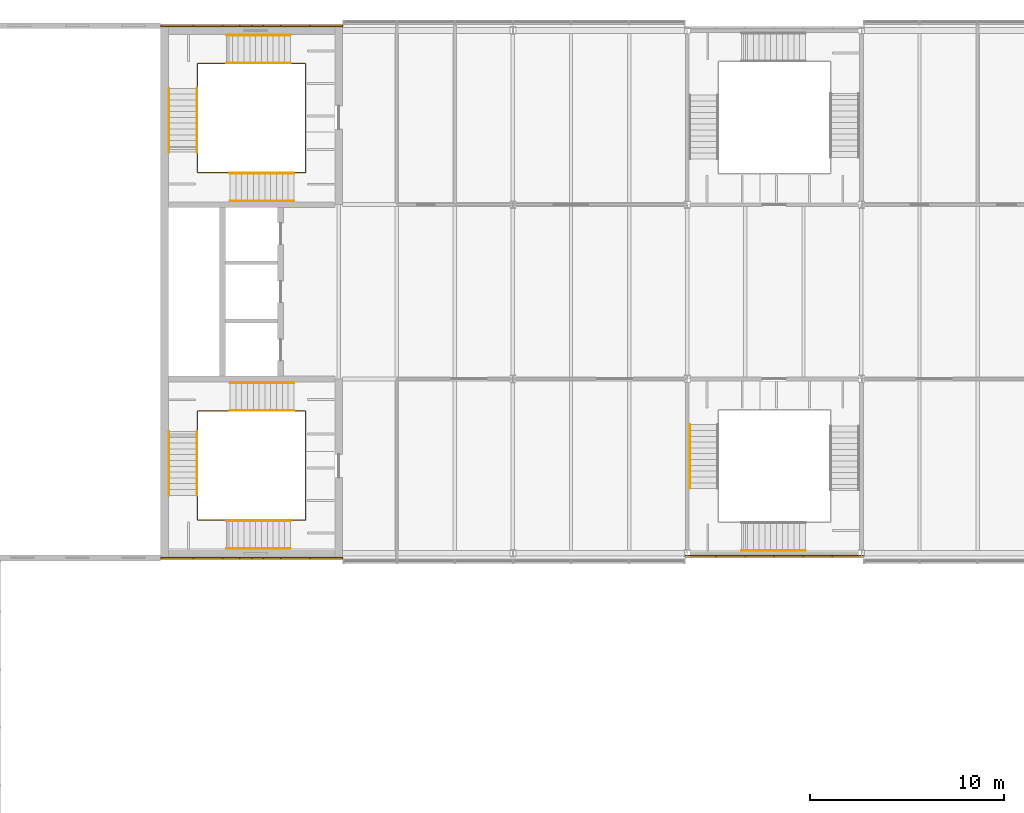
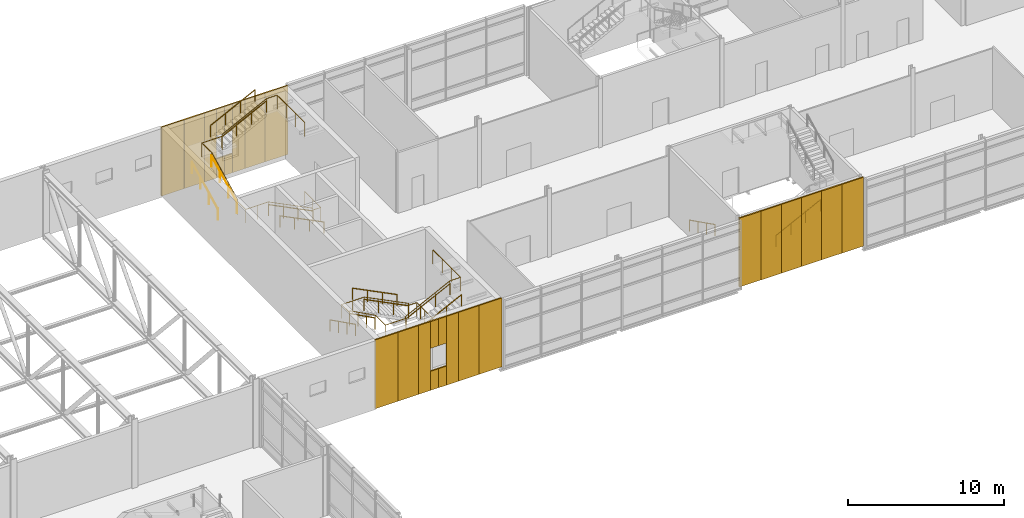
# One storey, part 51 of 53: 26 coverings, 16 railings.
"""IFC4 building model written with IfcOpenShell, lengths in metres."""

from ifc_helpers import new_model, si_unit, direction, frame, origin, origin_2d, place, context, subcontext, project, spatial, rectangle, circle, extrude, material, layer, layer_set, type_object, element, save


model = new_model("IFC4")

# Units and contexts
model_context = context("Model", 3, precision=1e-05, world=origin(), true_north=direction((0.0, 1.0)))
body_context = subcontext(model_context, "Body", "Model", "MODEL_VIEW")
ifc_project = project(units=[si_unit("LENGTHUNIT", "METRE"), si_unit("AREAUNIT", "SQUARE_METRE"), si_unit("VOLUMEUNIT", "CUBIC_METRE"), si_unit("PLANEANGLEUNIT", "RADIAN"), si_unit("MASSUNIT", "GRAM", prefix="KILO")], contexts=[model_context])

# Site, building, storey
site_placement = place(None, origin())
site = spatial("IfcSite", under=ifc_project, at=site_placement, CompositionType="ELEMENT")
building_placement = place(site_placement, origin())
building = spatial("IfcBuilding", under=site, at=building_placement, Name="Azimuth Sports and Learning Centre", CompositionType="ELEMENT")
storey_placement = place(building_placement, frame((0.0, 0.0, 10.800048828125)))
storey = spatial("IfcBuildingStorey", under=building, at=storey_placement, Name="L02", CompositionType="ELEMENT", Elevation=10.800048828125)

# Coverings
ifc_material_1 = material(Name="Cladding panel")
ifc_layer = layer(ifc_material_1, 0.10009765625)
ifc_layer_set = layer_set([ifc_layer], Name="Cladding panel")
covering_type = type_object("IfcCoveringType", Name="Cladding panel 100", PredefinedType="CLADDING", material=ifc_layer_set)
covering_1_placement = place(storey_placement, frame((108.64990234375, 89.75, 0.0), z_axis=(0.0, 0.0, 1.0), x_axis=(1.0, 0.0, 0.0)))
element("IfcCovering", 1, at=covering_1_placement, inside=storey, type_object=covering_type, Name="Cladding panel S-CORE E L02 1", PredefinedType="CLADDING", context=body_context, shape_type="SweptSolid", body=[
    extrude(rectangle(XDim=1.699951171875, YDim=0.10009765625, at=origin_2d()), origin(), (0.0, 0.0, 1.0), 5.39990234375),
])
covering_2_placement = place(storey_placement, frame((110.25, 89.75, 0.0), z_axis=(0.0, 0.0, 1.0), x_axis=(1.0, 0.0, 0.0)))
element("IfcCovering", 2, at=covering_2_placement, inside=storey, type_object=covering_type, Name="Cladding panel S-CORE E L02 2", PredefinedType="CLADDING", context=body_context, shape_type="SweptSolid", body=[
    extrude(rectangle(XDim=1.5, YDim=0.10009765625, at=origin_2d()), origin(), (0.0, 0.0, 1.0), 5.39990234375),
])
covering_3_placement = place(storey_placement, frame((111.449951171875, 89.75, 0.0), z_axis=(0.0, 0.0, 1.0), x_axis=(1.0, 0.0, 0.0)))
element("IfcCovering", 3, at=covering_3_placement, inside=storey, type_object=covering_type, Name="Cladding panel S-CORE E L02 3", PredefinedType="CLADDING", context=body_context, shape_type="SweptSolid", body=[
    extrude(rectangle(XDim=0.89990234375, YDim=0.10009765625, at=origin_2d()), origin(), (0.0, 0.0, 1.0), 5.39990234375),
])
covering_4_placement = place(storey_placement, frame((112.199951171875, 89.75, 0.0), z_axis=(0.0, 0.0, 1.0), x_axis=(1.0, 0.0, 0.0)))
element("IfcCovering", 4, at=covering_4_placement, inside=storey, type_object=covering_type, Name="Cladding panel S-CORE E L02 4", PredefinedType="CLADDING", context=body_context, shape_type="SweptSolid", body=[
    extrude(rectangle(XDim=0.60009765625, YDim=0.10009765625, at=origin_2d()), origin(), (0.0, 0.0, 1.0), 1.5),
])
covering_5_placement = place(storey_placement, frame((112.199951171875, 89.75, 3.2998046875), z_axis=(0.0, 0.0, 1.0), x_axis=(1.0, 0.0, 0.0)))
element("IfcCovering", 5, at=covering_5_placement, inside=storey, type_object=covering_type, Name="Cladding panel S-CORE E L02 5", PredefinedType="CLADDING", context=body_context, shape_type="SweptSolid", body=[
    extrude(rectangle(XDim=0.60009765625, YDim=0.10009765625, at=origin_2d()), origin(), (0.0, 0.0, 1.0), 2.10009765625),
])
covering_6_placement = place(storey_placement, frame((113.550048828125, 89.75, 0.0), z_axis=(0.0, 0.0, 1.0), x_axis=(1.0, 0.0, 0.0)))
element("IfcCovering", 6, at=covering_6_placement, inside=storey, type_object=covering_type, Name="Cladding panel S-CORE E L02 6", PredefinedType="CLADDING", context=body_context, shape_type="SweptSolid", body=[
    extrude(rectangle(XDim=0.89990234375, YDim=0.10009765625, at=origin_2d()), origin(), (0.0, 0.0, 1.0), 5.39990234375),
])
covering_7_placement = place(storey_placement, frame((112.800048828125, 89.75, 0.0), z_axis=(0.0, 0.0, 1.0), x_axis=(1.0, 0.0, 0.0)))
element("IfcCovering", 7, at=covering_7_placement, inside=storey, type_object=covering_type, Name="Cladding panel S-CORE E L02 7", PredefinedType="CLADDING", context=body_context, shape_type="SweptSolid", body=[
    extrude(rectangle(XDim=0.60009765625, YDim=0.10009765625, at=origin_2d()), origin(), (0.0, 0.0, 1.0), 1.5),
])
covering_8_placement = place(storey_placement, frame((112.800048828125, 89.75, 3.2998046875), z_axis=(0.0, 0.0, 1.0), x_axis=(1.0, 0.0, 0.0)))
element("IfcCovering", 8, at=covering_8_placement, inside=storey, type_object=covering_type, Name="Cladding panel S-CORE E L02 8", PredefinedType="CLADDING", context=body_context, shape_type="SweptSolid", body=[
    extrude(rectangle(XDim=0.60009765625, YDim=0.10009765625, at=origin_2d()), origin(), (0.0, 0.0, 1.0), 2.10009765625),
])
covering_9_placement = place(storey_placement, frame((114.75, 89.75, 0.0), z_axis=(0.0, 0.0, 1.0), x_axis=(1.0, 0.0, 0.0)))
element("IfcCovering", 9, at=covering_9_placement, inside=storey, type_object=covering_type, Name="Cladding panel S-CORE E L02 9", PredefinedType="CLADDING", context=body_context, shape_type="SweptSolid", body=[
    extrude(rectangle(XDim=1.5, YDim=0.10009765625, at=origin_2d()), origin(), (0.0, 0.0, 1.0), 5.39990234375),
])
covering_10_placement = place(storey_placement, frame((116.35009765625, 89.75, 0.0), z_axis=(0.0, 0.0, 1.0), x_axis=(1.0, 0.0, 0.0)))
element("IfcCovering", 10, at=covering_10_placement, inside=storey, type_object=covering_type, Name="Cladding panel S-CORE E L02 10", PredefinedType="CLADDING", context=body_context, shape_type="SweptSolid", body=[
    extrude(rectangle(XDim=1.699951171875, YDim=0.10009765625, at=origin_2d()), origin(), (0.0, 0.0, 1.0), 5.39990234375),
])
covering_11_placement = place(storey_placement, frame((135.699951171875, 89.85009765625, 0.0), z_axis=(0.0, 0.0, 1.0), x_axis=(1.0, 0.0, 0.0)))
element("IfcCovering", 11, at=covering_11_placement, inside=storey, type_object=covering_type, Name="Cladding panel S-EM1 L02 1", PredefinedType="CLADDING", context=body_context, shape_type="SweptSolid", body=[
    extrude(rectangle(XDim=1.60009765625, YDim=0.10009765625, at=origin_2d()), origin(), (0.0, 0.0, 1.0), 5.39990234375),
])
for number, where, z_axis, x_axis, name in (
    (12, (137.25, 89.85009765625, 0.0), (0.0, 0.0, 1.0), (1.0, 0.0, 0.0), "Cladding panel S-EM1 L02 2"),
    (13, (138.75, 89.85009765625, 0.0), (0.0, 0.0, 1.0), (1.0, 0.0, 0.0), "Cladding panel S-EM1 L02 3"),
    (14, (140.25, 89.85009765625, 0.0), (0.0, 0.0, 1.0), (1.0, 0.0, 0.0), "Cladding panel S-EM1 L02 4"),
    (15, (141.75, 89.85009765625, 0.0), (0.0, 0.0, 1.0), (1.0, 0.0, 0.0), "Cladding panel S-EM1 L02 5"),
):
    element("IfcCovering", number, at=place(storey_placement, frame(where, z_axis=z_axis, x_axis=x_axis)), inside=storey, type_object=covering_type, Name=name, PredefinedType="CLADDING", context=body_context, shape_type="SweptSolid", body=[
        extrude(rectangle(XDim=1.5, YDim=0.10009765625, at=origin_2d()), origin(), (0.0, 0.0, 1.0), 5.39990234375),
    ])
covering_12_placement = place(storey_placement, frame((143.300048828125, 89.85009765625, 0.0), z_axis=(0.0, 0.0, 1.0), x_axis=(1.0, 0.0, 0.0)))
element("IfcCovering", 16, at=covering_12_placement, inside=storey, type_object=covering_type, Name="Cladding panel S-EM1 L02 6", PredefinedType="CLADDING", context=body_context, shape_type="SweptSolid", body=[
    extrude(rectangle(XDim=1.60009765625, YDim=0.10009765625, at=origin_2d()), origin(), (0.0, 0.0, 1.0), 5.39990234375),
])
covering_13_placement = place(storey_placement, frame((116.35009765625, 117.25, 0.0), z_axis=(0.0, 0.0, 1.0), x_axis=(-1.0, 0.0, 0.0)))
element("IfcCovering", 17, at=covering_13_placement, inside=storey, type_object=covering_type, Name="Cladding panel N-CORE E L02 1", PredefinedType="CLADDING", context=body_context, shape_type="SweptSolid", body=[
    extrude(rectangle(XDim=1.699951171875, YDim=0.10009765625, at=origin_2d()), origin(), (0.0, 0.0, 1.0), 5.39990234375),
])
covering_14_placement = place(storey_placement, frame((114.75, 117.25, 0.0), z_axis=(0.0, 0.0, 1.0), x_axis=(-1.0, 0.0, 0.0)))
element("IfcCovering", 18, at=covering_14_placement, inside=storey, type_object=covering_type, Name="Cladding panel N-CORE E L02 2", PredefinedType="CLADDING", context=body_context, shape_type="SweptSolid", body=[
    extrude(rectangle(XDim=1.5, YDim=0.10009765625, at=origin_2d()), origin(), (0.0, 0.0, 1.0), 5.39990234375),
])
covering_15_placement = place(storey_placement, frame((113.550048828125, 117.25, 0.0), z_axis=(0.0, 0.0, 1.0), x_axis=(-1.0, 0.0, 0.0)))
element("IfcCovering", 19, at=covering_15_placement, inside=storey, type_object=covering_type, Name="Cladding panel N-CORE E L02 3", PredefinedType="CLADDING", context=body_context, shape_type="SweptSolid", body=[
    extrude(rectangle(XDim=0.89990234375, YDim=0.10009765625, at=origin_2d()), origin(), (0.0, 0.0, 1.0), 5.39990234375),
])
covering_16_placement = place(storey_placement, frame((112.800048828125, 117.25, 0.0), z_axis=(0.0, 0.0, 1.0), x_axis=(-1.0, 0.0, 0.0)))
element("IfcCovering", 20, at=covering_16_placement, inside=storey, type_object=covering_type, Name="Cladding panel N-CORE E L02 4", PredefinedType="CLADDING", context=body_context, shape_type="SweptSolid", body=[
    extrude(rectangle(XDim=0.60009765625, YDim=0.10009765625, at=origin_2d()), origin(), (0.0, 0.0, 1.0), 1.5),
])
covering_17_placement = place(storey_placement, frame((112.800048828125, 117.25, 3.2998046875), z_axis=(0.0, 0.0, 1.0), x_axis=(-1.0, 0.0, 0.0)))
element("IfcCovering", 21, at=covering_17_placement, inside=storey, type_object=covering_type, Name="Cladding panel N-CORE E L02 5", PredefinedType="CLADDING", context=body_context, shape_type="SweptSolid", body=[
    extrude(rectangle(XDim=0.60009765625, YDim=0.10009765625, at=origin_2d()), origin(), (0.0, 0.0, 1.0), 2.10009765625),
])
covering_18_placement = place(storey_placement, frame((111.449951171875, 117.25, 0.0), z_axis=(0.0, 0.0, 1.0), x_axis=(-1.0, 0.0, 0.0)))
element("IfcCovering", 22, at=covering_18_placement, inside=storey, type_object=covering_type, Name="Cladding panel N-CORE E L02 6", PredefinedType="CLADDING", context=body_context, shape_type="SweptSolid", body=[
    extrude(rectangle(XDim=0.89990234375, YDim=0.10009765625, at=origin_2d()), origin(), (0.0, 0.0, 1.0), 5.39990234375),
])
covering_19_placement = place(storey_placement, frame((112.199951171875, 117.25, 0.0), z_axis=(0.0, 0.0, 1.0), x_axis=(-1.0, 0.0, 0.0)))
element("IfcCovering", 23, at=covering_19_placement, inside=storey, type_object=covering_type, Name="Cladding panel N-CORE E L02 7", PredefinedType="CLADDING", context=body_context, shape_type="SweptSolid", body=[
    extrude(rectangle(XDim=0.60009765625, YDim=0.10009765625, at=origin_2d()), origin(), (0.0, 0.0, 1.0), 1.5),
])
covering_20_placement = place(storey_placement, frame((112.199951171875, 117.25, 3.2998046875), z_axis=(0.0, 0.0, 1.0), x_axis=(-1.0, 0.0, 0.0)))
element("IfcCovering", 24, at=covering_20_placement, inside=storey, type_object=covering_type, Name="Cladding panel N-CORE E L02 8", PredefinedType="CLADDING", context=body_context, shape_type="SweptSolid", body=[
    extrude(rectangle(XDim=0.60009765625, YDim=0.10009765625, at=origin_2d()), origin(), (0.0, 0.0, 1.0), 2.10009765625),
])
covering_21_placement = place(storey_placement, frame((110.25, 117.25, 0.0), z_axis=(0.0, 0.0, 1.0), x_axis=(-1.0, 0.0, 0.0)))
element("IfcCovering", 25, at=covering_21_placement, inside=storey, type_object=covering_type, Name="Cladding panel N-CORE E L02 9", PredefinedType="CLADDING", context=body_context, shape_type="SweptSolid", body=[
    extrude(rectangle(XDim=1.5, YDim=0.10009765625, at=origin_2d()), origin(), (0.0, 0.0, 1.0), 5.39990234375),
])
covering_22_placement = place(storey_placement, frame((108.64990234375, 117.25, 0.0), z_axis=(0.0, 0.0, 1.0), x_axis=(-1.0, 0.0, 0.0)))
element("IfcCovering", 26, at=covering_22_placement, inside=storey, type_object=covering_type, Name="Cladding panel N-CORE E L02 10", PredefinedType="CLADDING", context=body_context, shape_type="SweptSolid", body=[
    extrude(rectangle(XDim=1.699951171875, YDim=0.10009765625, at=origin_2d()), origin(), (0.0, 0.0, 1.0), 5.39990234375),
])

# Railings
ifc_material_2 = material(Name="Stainless steel", Category="steel")
railing_type_1 = type_object("IfcRailingType", Name="Stair guard 1100", PredefinedType="GUARDRAIL", material=ifc_material_2)
railing_1_placement = place(storey_placement, frame((115.2900390625, 95.25, 0.0)))
element("IfcRailing", 27, at=railing_1_placement, inside=storey, type_object=railing_type_1, Name="Guard E1 L02 well", PredefinedType="GUARDRAIL", context=body_context, shape_type="SweptSolid", body=[
    extrude(circle(Radius=0.02392578125, at=origin_2d()), frame((0.0, 0.0, 1.076171875), z_axis=(0.0, 1.0, 0.0), x_axis=(-1.0, 0.0, 0.0)), (0.0, 0.0, 1.0), 2.090087890625),
    extrude(circle(Radius=0.02392578125, at=origin_2d()), frame((0.0, 2.090087890625, 1.076171875), z_axis=(-1.0, 0.0, 0.0), x_axis=(0.0, -1.0, 0.0)), (0.0, 0.0, 1.0), 0.60009765625),
    extrude(circle(Radius=0.02392578125, at=origin_2d()), frame((-0.60009765625, 2.090087890625, 1.076171875), z_axis=(0.0, 0.0, 1.0), x_axis=(1.0, 0.0, 0.0)), (0.0, 0.0, 1.0), 0.14990234375),
    extrude(circle(Radius=0.02392578125, at=origin_2d()), frame((-0.60009765625, 2.090087890625, 1.22607421875), z_axis=(-0.894413956696, 0.0, 0.447240063129), x_axis=(0.0, -1.0, 0.0)), (0.0, 0.0, 1.0), 3.689697265625),
    extrude(circle(Radius=0.02392578125, at=origin_2d()), frame((-3.900146484375, 2.090087890625, 2.8759765625), z_axis=(-1.0, 0.0, 0.0), x_axis=(0.0, -1.0, 0.0)), (0.0, 0.0, 1.0), 1.679931640625),
    extrude(circle(Radius=0.02392578125, at=origin_2d()), frame((-5.580078125, 2.090087890625, 2.8759765625), z_axis=(0.0, -1.0, 0.0), x_axis=(1.0, 0.0, 0.0)), (0.0, 0.0, 1.0), 1.050048828125),
    extrude(circle(Radius=0.02392578125, at=origin_2d()), frame((-5.580078125, 1.0400390625, 2.8759765625), z_axis=(0.0, 0.0, 1.0), x_axis=(1.0, 0.0, 0.0)), (0.0, 0.0, 1.0), 0.14990234375),
    extrude(circle(Radius=0.02392578125, at=origin_2d()), frame((-5.580078125, 1.0400390625, 3.02587890625), z_axis=(0.0, -0.894440424912, 0.447187126696), x_axis=(1.0, 0.0, 0.0)), (0.0, 0.0, 1.0), 3.689453125),
    extrude(circle(Radius=0.02392578125, at=origin_2d()), frame((-5.580078125, -2.260009765625, 4.67578125), z_axis=(0.0, -1.0, 0.0), x_axis=(1.0, 0.0, 0.0)), (0.0, 0.0, 1.0), 1.280029296875),
    extrude(circle(Radius=0.02392578125, at=origin_2d()), frame((-5.580078125, -3.5400390625, 4.67578125), z_axis=(1.0, 0.0, 0.0), x_axis=(0.0, 1.0, 0.0)), (0.0, 0.0, 1.0), 1.5),
    extrude(circle(Radius=0.02392578125, at=origin_2d()), frame((-4.080078125, -3.5400390625, 4.67578125), z_axis=(0.0, 0.0, 1.0), x_axis=(1.0, 0.0, 0.0)), (0.0, 0.0, 1.0), 0.150146484375),
    extrude(circle(Radius=0.02392578125, at=origin_2d()), frame((-4.080078125, -3.5400390625, 4.826171875), z_axis=(0.894440424912, 0.0, 0.447187126696), x_axis=(0.0, 1.0, 0.0)), (0.0, 0.0, 1.0), 3.689453125),
    extrude(circle(Radius=0.02392578125, at=origin_2d()), frame((-0.780029296875, -3.5400390625, 6.47607421875), z_axis=(1.0, 0.0, 0.0), x_axis=(0.0, 1.0, 0.0)), (0.0, 0.0, 1.0), 0.780029296875),
    extrude(circle(Radius=0.02392578125, at=origin_2d()), frame((0.0, -3.5400390625, 6.47607421875), z_axis=(0.0, 1.0, 0.0), x_axis=(-1.0, 0.0, 0.0)), (0.0, 0.0, 1.0), 3.5400390625),
    extrude(circle(Radius=0.01611328125, at=origin_2d()), origin(), (0.0, 0.0, 1.0), 1.052001953125),
    extrude(circle(Radius=0.01611328125, at=origin_2d()), frame((0.0, 1.044921875, 0.0)), (0.0, 0.0, 1.0), 1.052001953125),
    extrude(circle(Radius=0.01611328125, at=origin_2d()), frame((0.0, 2.090087890625, 0.0)), (0.0, 0.0, 1.0), 1.052001953125),
    extrude(circle(Radius=0.01611328125, at=origin_2d()), frame((-0.60009765625, 2.090087890625, 0.0)), (0.0, 0.0, 1.0), 1.052001953125),
    extrude(circle(Radius=0.01611328125, at=origin_2d()), frame((-0.60009765625, 2.090087890625, 0.14990234375)), (0.0, 0.0, 1.0), 1.052001953125),
    extrude(circle(Radius=0.01611328125, at=origin_2d()), frame((-1.7001953125, 2.090087890625, 0.699951171875)), (0.0, 0.0, 1.0), 1.052001953125),
    extrude(circle(Radius=0.01611328125, at=origin_2d()), frame((-2.800048828125, 2.090087890625, 1.25)), (0.0, 0.0, 1.0), 1.052001953125),
    extrude(circle(Radius=0.01611328125, at=origin_2d()), frame((-3.900146484375, 2.090087890625, 1.800048828125)), (0.0, 0.0, 1.0), 1.052001953125),
    extrude(circle(Radius=0.01611328125, at=origin_2d()), frame((-4.740234375, 2.090087890625, 1.800048828125)), (0.0, 0.0, 1.0), 1.052001953125),
    extrude(circle(Radius=0.01611328125, at=origin_2d()), frame((-5.580078125, 2.090087890625, 1.800048828125)), (0.0, 0.0, 1.0), 1.052001953125),
    extrude(circle(Radius=0.01611328125, at=origin_2d()), frame((-5.580078125, 1.0400390625, 1.800048828125)), (0.0, 0.0, 1.0), 1.052001953125),
    extrude(circle(Radius=0.01611328125, at=origin_2d()), frame((-5.580078125, 1.0400390625, 1.949951171875)), (0.0, 0.0, 1.0), 1.052001953125),
    extrude(circle(Radius=0.01611328125, at=origin_2d()), frame((-5.580078125, -0.06005859375, 2.5)), (0.0, 0.0, 1.0), 1.052001953125),
    extrude(circle(Radius=0.01611328125, at=origin_2d()), frame((-5.580078125, -1.159912109375, 3.0498046875)), (0.0, 0.0, 1.0), 1.052001953125),
    extrude(circle(Radius=0.01611328125, at=origin_2d()), frame((-5.580078125, -2.260009765625, 3.599853515625)), (0.0, 0.0, 1.0), 1.052001953125),
    extrude(circle(Radius=0.01611328125, at=origin_2d()), frame((-5.580078125, -3.5400390625, 3.599853515625)), (0.0, 0.0, 1.0), 1.052001953125),
    extrude(circle(Radius=0.01611328125, at=origin_2d()), frame((-4.080078125, -3.5400390625, 3.599853515625)), (0.0, 0.0, 1.0), 1.052001953125),
    extrude(circle(Radius=0.01611328125, at=origin_2d()), frame((-4.080078125, -3.5400390625, 3.75)), (0.0, 0.0, 1.0), 1.052001953125),
    extrude(circle(Radius=0.01611328125, at=origin_2d()), frame((-2.97998046875, -3.5400390625, 4.300048828125)), (0.0, 0.0, 1.0), 1.052001953125),
    extrude(circle(Radius=0.01611328125, at=origin_2d()), frame((-1.880126953125, -3.5400390625, 4.849853515625)), (0.0, 0.0, 1.0), 1.052001953125),
    extrude(circle(Radius=0.01611328125, at=origin_2d()), frame((-0.780029296875, -3.5400390625, 5.39990234375)), (0.0, 0.0, 1.0), 1.052001953125),
    extrude(circle(Radius=0.01611328125, at=origin_2d()), frame((0.0, -3.5400390625, 5.39990234375)), (0.0, 0.0, 1.0), 1.052001953125),
    extrude(circle(Radius=0.01611328125, at=origin_2d()), frame((0.0, -2.360107421875, 5.39990234375)), (0.0, 0.0, 1.0), 1.052001953125),
    extrude(circle(Radius=0.01611328125, at=origin_2d()), frame((0.0, -1.179931640625, 5.39990234375)), (0.0, 0.0, 1.0), 1.052001953125),
    extrude(circle(Radius=0.01611328125, at=origin_2d()), frame((0.0, 0.0, 5.39990234375)), (0.0, 0.0, 1.0), 1.052001953125),
])
railing_2_placement = place(storey_placement, frame((115.2900390625, 111.75, 0.0)))
element("IfcRailing", 28, at=railing_2_placement, inside=storey, type_object=railing_type_1, Name="Guard E2 L02 well", PredefinedType="GUARDRAIL", context=body_context, shape_type="SweptSolid", body=[
    extrude(circle(Radius=0.02392578125, at=origin_2d()), frame((0.0, 0.0, 1.076171875), z_axis=(0.0, -1.0, 0.0), x_axis=(1.0, 0.0, 0.0)), (0.0, 0.0, 1.0), 2.090087890625),
    extrude(circle(Radius=0.02392578125, at=origin_2d()), frame((0.0, -2.090087890625, 1.076171875), z_axis=(-1.0, 0.0, 0.0), x_axis=(0.0, -1.0, 0.0)), (0.0, 0.0, 1.0), 0.60009765625),
    extrude(circle(Radius=0.02392578125, at=origin_2d()), frame((-0.60009765625, -2.090087890625, 1.076171875), z_axis=(0.0, 0.0, 1.0), x_axis=(1.0, 0.0, 0.0)), (0.0, 0.0, 1.0), 0.14990234375),
    extrude(circle(Radius=0.02392578125, at=origin_2d()), frame((-0.60009765625, -2.090087890625, 1.22607421875), z_axis=(-0.894413956696, 0.0, 0.447240063129), x_axis=(0.0, -1.0, 0.0)), (0.0, 0.0, 1.0), 3.689697265625),
    extrude(circle(Radius=0.02392578125, at=origin_2d()), frame((-3.900146484375, -2.090087890625, 2.8759765625), z_axis=(-1.0, 0.0, 0.0), x_axis=(0.0, -1.0, 0.0)), (0.0, 0.0, 1.0), 1.679931640625),
    extrude(circle(Radius=0.02392578125, at=origin_2d()), frame((-5.580078125, -2.090087890625, 2.8759765625), z_axis=(0.0, 1.0, 0.0), x_axis=(-1.0, 0.0, 0.0)), (0.0, 0.0, 1.0), 1.050048828125),
    extrude(circle(Radius=0.02392578125, at=origin_2d()), frame((-5.580078125, -1.0400390625, 2.8759765625), z_axis=(0.0, 0.0, 1.0), x_axis=(1.0, 0.0, 0.0)), (0.0, 0.0, 1.0), 0.14990234375),
    extrude(circle(Radius=0.02392578125, at=origin_2d()), frame((-5.580078125, -1.0400390625, 3.02587890625), z_axis=(0.0, 0.894440424912, 0.447187126696), x_axis=(-1.0, 0.0, 0.0)), (0.0, 0.0, 1.0), 3.689453125),
    extrude(circle(Radius=0.02392578125, at=origin_2d()), frame((-5.580078125, 2.260009765625, 4.67578125), z_axis=(0.0, 1.0, 0.0), x_axis=(-1.0, 0.0, 0.0)), (0.0, 0.0, 1.0), 1.280029296875),
    extrude(circle(Radius=0.02392578125, at=origin_2d()), frame((-5.580078125, 3.5400390625, 4.67578125), z_axis=(1.0, 0.0, 0.0), x_axis=(0.0, 1.0, 0.0)), (0.0, 0.0, 1.0), 1.5),
    extrude(circle(Radius=0.02392578125, at=origin_2d()), frame((-4.080078125, 3.5400390625, 4.67578125), z_axis=(0.0, 0.0, 1.0), x_axis=(1.0, 0.0, 0.0)), (0.0, 0.0, 1.0), 0.150146484375),
    extrude(circle(Radius=0.02392578125, at=origin_2d()), frame((-4.080078125, 3.5400390625, 4.826171875), z_axis=(0.894440424912, 0.0, 0.447187126696), x_axis=(0.0, 1.0, 0.0)), (0.0, 0.0, 1.0), 3.689453125),
    extrude(circle(Radius=0.02392578125, at=origin_2d()), frame((-0.780029296875, 3.5400390625, 6.47607421875), z_axis=(1.0, 0.0, 0.0), x_axis=(0.0, 1.0, 0.0)), (0.0, 0.0, 1.0), 0.780029296875),
    extrude(circle(Radius=0.02392578125, at=origin_2d()), frame((0.0, 3.5400390625, 6.47607421875), z_axis=(0.0, -1.0, 0.0), x_axis=(1.0, 0.0, 0.0)), (0.0, 0.0, 1.0), 3.5400390625),
    extrude(circle(Radius=0.01611328125, at=origin_2d()), origin(), (0.0, 0.0, 1.0), 1.052001953125),
    extrude(circle(Radius=0.01611328125, at=origin_2d()), frame((0.0, -1.044921875, 0.0)), (0.0, 0.0, 1.0), 1.052001953125),
    extrude(circle(Radius=0.01611328125, at=origin_2d()), frame((0.0, -2.090087890625, 0.0)), (0.0, 0.0, 1.0), 1.052001953125),
    extrude(circle(Radius=0.01611328125, at=origin_2d()), frame((-0.60009765625, -2.090087890625, 0.0)), (0.0, 0.0, 1.0), 1.052001953125),
    extrude(circle(Radius=0.01611328125, at=origin_2d()), frame((-0.60009765625, -2.090087890625, 0.14990234375)), (0.0, 0.0, 1.0), 1.052001953125),
    extrude(circle(Radius=0.01611328125, at=origin_2d()), frame((-1.7001953125, -2.090087890625, 0.699951171875)), (0.0, 0.0, 1.0), 1.052001953125),
    extrude(circle(Radius=0.01611328125, at=origin_2d()), frame((-2.800048828125, -2.090087890625, 1.25)), (0.0, 0.0, 1.0), 1.052001953125),
    extrude(circle(Radius=0.01611328125, at=origin_2d()), frame((-3.900146484375, -2.090087890625, 1.800048828125)), (0.0, 0.0, 1.0), 1.052001953125),
    extrude(circle(Radius=0.01611328125, at=origin_2d()), frame((-4.740234375, -2.090087890625, 1.800048828125)), (0.0, 0.0, 1.0), 1.052001953125),
    extrude(circle(Radius=0.01611328125, at=origin_2d()), frame((-5.580078125, -2.090087890625, 1.800048828125)), (0.0, 0.0, 1.0), 1.052001953125),
    extrude(circle(Radius=0.01611328125, at=origin_2d()), frame((-5.580078125, -1.0400390625, 1.800048828125)), (0.0, 0.0, 1.0), 1.052001953125),
    extrude(circle(Radius=0.01611328125, at=origin_2d()), frame((-5.580078125, -1.0400390625, 1.949951171875)), (0.0, 0.0, 1.0), 1.052001953125),
    extrude(circle(Radius=0.01611328125, at=origin_2d()), frame((-5.580078125, 0.06005859375, 2.5)), (0.0, 0.0, 1.0), 1.052001953125),
    extrude(circle(Radius=0.01611328125, at=origin_2d()), frame((-5.580078125, 1.159912109375, 3.0498046875)), (0.0, 0.0, 1.0), 1.052001953125),
    extrude(circle(Radius=0.01611328125, at=origin_2d()), frame((-5.580078125, 2.260009765625, 3.599853515625)), (0.0, 0.0, 1.0), 1.052001953125),
    extrude(circle(Radius=0.01611328125, at=origin_2d()), frame((-5.580078125, 3.5400390625, 3.599853515625)), (0.0, 0.0, 1.0), 1.052001953125),
    extrude(circle(Radius=0.01611328125, at=origin_2d()), frame((-4.080078125, 3.5400390625, 3.599853515625)), (0.0, 0.0, 1.0), 1.052001953125),
    extrude(circle(Radius=0.01611328125, at=origin_2d()), frame((-4.080078125, 3.5400390625, 3.75)), (0.0, 0.0, 1.0), 1.052001953125),
    extrude(circle(Radius=0.01611328125, at=origin_2d()), frame((-2.97998046875, 3.5400390625, 4.300048828125)), (0.0, 0.0, 1.0), 1.052001953125),
    extrude(circle(Radius=0.01611328125, at=origin_2d()), frame((-1.880126953125, 3.5400390625, 4.849853515625)), (0.0, 0.0, 1.0), 1.052001953125),
    extrude(circle(Radius=0.01611328125, at=origin_2d()), frame((-0.780029296875, 3.5400390625, 5.39990234375)), (0.0, 0.0, 1.0), 1.052001953125),
    extrude(circle(Radius=0.01611328125, at=origin_2d()), frame((0.0, 3.5400390625, 5.39990234375)), (0.0, 0.0, 1.0), 1.052001953125),
    extrude(circle(Radius=0.01611328125, at=origin_2d()), frame((0.0, 2.360107421875, 5.39990234375)), (0.0, 0.0, 1.0), 1.052001953125),
    extrude(circle(Radius=0.01611328125, at=origin_2d()), frame((0.0, 1.179931640625, 5.39990234375)), (0.0, 0.0, 1.0), 1.052001953125),
    extrude(circle(Radius=0.01611328125, at=origin_2d()), frame((0.0, 0.0, 5.39990234375)), (0.0, 0.0, 1.0), 1.052001953125),
])
ifc_material_3 = material(Name="Stainless steel", Category="steel")
railing_type_2 = type_object("IfcRailingType", Name="Stair handrail 42", PredefinedType="HANDRAIL", material=ifc_material_3)
for number, where, name in (
    (29, (114.68994140625, 97.3701171875, 0.14990234375), "Handrail E1 L02 flight 1 inner"),
    (30, (114.68994140625, 98.81005859375, 0.14990234375), "Handrail E1 L02 flight 1 outer"),
):
    element("IfcRailing", number, at=place(storey_placement, frame(where)), inside=storey, type_object=railing_type_2, Name=name, PredefinedType="HANDRAIL", context=body_context, shape_type="SweptSolid", body=[
        extrude(circle(Radius=0.02099609375, at=origin_2d()), frame((0.0, 0.0, 0.87890625), z_axis=(-0.894413956696, 0.0, 0.447240063129), x_axis=(0.0, -1.0, 0.0)), (0.0, 0.0, 1.0), 3.689697265625),
        extrude(circle(Radius=0.01611328125, at=origin_2d()), origin(), (0.0, 0.0, 1.0), 0.85791015625),
        extrude(circle(Radius=0.01611328125, at=origin_2d()), frame((-1.10009765625, 0.0, 0.550048828125)), (0.0, 0.0, 1.0), 0.85791015625),
        extrude(circle(Radius=0.01611328125, at=origin_2d()), frame((-2.199951171875, 0.0, 1.10009765625)), (0.0, 0.0, 1.0), 0.85791015625),
        extrude(circle(Radius=0.01611328125, at=origin_2d()), frame((-3.300048828125, 0.0, 1.650146484375)), (0.0, 0.0, 1.0), 0.85791015625),
    ])
for number, where, name in (
    (31, (109.679931640625, 96.2900390625, 1.949951171875), "Handrail E1 L02 flight 2 inner"),
    (32, (108.239990234375, 96.2900390625, 1.949951171875), "Handrail E1 L02 flight 2 outer"),
):
    element("IfcRailing", number, at=place(storey_placement, frame(where)), inside=storey, type_object=railing_type_2, Name=name, PredefinedType="HANDRAIL", context=body_context, shape_type="SweptSolid", body=[
        extrude(circle(Radius=0.02099609375, at=origin_2d()), frame((0.0, 0.0, 0.87890625), z_axis=(0.0, -0.894440424912, 0.447187126696), x_axis=(1.0, 0.0, 0.0)), (0.0, 0.0, 1.0), 3.689453125),
        extrude(circle(Radius=0.01611328125, at=origin_2d()), origin(), (0.0, 0.0, 1.0), 0.85791015625),
        extrude(circle(Radius=0.01611328125, at=origin_2d()), frame((0.0, -1.10009765625, 0.550048828125)), (0.0, 0.0, 1.0), 0.85791015625),
        extrude(circle(Radius=0.01611328125, at=origin_2d()), frame((0.0, -2.199951171875, 1.099853515625)), (0.0, 0.0, 1.0), 0.85791015625),
        extrude(circle(Radius=0.01611328125, at=origin_2d()), frame((0.0, -3.300048828125, 1.64990234375)), (0.0, 0.0, 1.0), 0.85791015625),
    ])
for number, where, name in (
    (33, (111.2099609375, 91.679931640625, 3.75), "Handrail E1 L02 flight 3 inner"),
    (34, (111.2099609375, 90.239990234375, 3.75), "Handrail E1 L02 flight 3 outer"),
):
    element("IfcRailing", number, at=place(storey_placement, frame(where)), inside=storey, type_object=railing_type_2, Name=name, PredefinedType="HANDRAIL", context=body_context, shape_type="SweptSolid", body=[
        extrude(circle(Radius=0.02099609375, at=origin_2d()), frame((0.0, 0.0, 0.87890625), z_axis=(0.894440424912, 0.0, 0.447187126696), x_axis=(0.0, 1.0, 0.0)), (0.0, 0.0, 1.0), 3.689453125),
        extrude(circle(Radius=0.01611328125, at=origin_2d()), origin(), (0.0, 0.0, 1.0), 0.85791015625),
        extrude(circle(Radius=0.01611328125, at=origin_2d()), frame((1.10009765625, 0.0, 0.550048828125)), (0.0, 0.0, 1.0), 0.85791015625),
        extrude(circle(Radius=0.01611328125, at=origin_2d()), frame((2.199951171875, 0.0, 1.099853515625)), (0.0, 0.0, 1.0), 0.85791015625),
        extrude(circle(Radius=0.01611328125, at=origin_2d()), frame((3.300048828125, 0.0, 1.64990234375)), (0.0, 0.0, 1.0), 0.85791015625),
    ])
for number, where, name in (
    (35, (114.68994140625, 109.6298828125, 0.14990234375), "Handrail E2 L02 flight 1 inner"),
    (36, (114.68994140625, 108.18994140625, 0.14990234375), "Handrail E2 L02 flight 1 outer"),
):
    element("IfcRailing", number, at=place(storey_placement, frame(where)), inside=storey, type_object=railing_type_2, Name=name, PredefinedType="HANDRAIL", context=body_context, shape_type="SweptSolid", body=[
        extrude(circle(Radius=0.02099609375, at=origin_2d()), frame((0.0, 0.0, 0.87890625), z_axis=(-0.894413956696, 0.0, 0.447240063129), x_axis=(0.0, -1.0, 0.0)), (0.0, 0.0, 1.0), 3.689697265625),
        extrude(circle(Radius=0.01611328125, at=origin_2d()), origin(), (0.0, 0.0, 1.0), 0.85791015625),
        extrude(circle(Radius=0.01611328125, at=origin_2d()), frame((-1.10009765625, 0.0, 0.550048828125)), (0.0, 0.0, 1.0), 0.85791015625),
        extrude(circle(Radius=0.01611328125, at=origin_2d()), frame((-2.199951171875, 0.0, 1.10009765625)), (0.0, 0.0, 1.0), 0.85791015625),
        extrude(circle(Radius=0.01611328125, at=origin_2d()), frame((-3.300048828125, 0.0, 1.650146484375)), (0.0, 0.0, 1.0), 0.85791015625),
    ])
for number, where, name in (
    (37, (109.679931640625, 110.7099609375, 1.949951171875), "Handrail E2 L02 flight 2 inner"),
    (38, (108.239990234375, 110.7099609375, 1.949951171875), "Handrail E2 L02 flight 2 outer"),
):
    element("IfcRailing", number, at=place(storey_placement, frame(where)), inside=storey, type_object=railing_type_2, Name=name, PredefinedType="HANDRAIL", context=body_context, shape_type="SweptSolid", body=[
        extrude(circle(Radius=0.02099609375, at=origin_2d()), frame((0.0, 0.0, 0.87890625), z_axis=(0.0, 0.894440424912, 0.447187126696), x_axis=(-1.0, 0.0, 0.0)), (0.0, 0.0, 1.0), 3.689453125),
        extrude(circle(Radius=0.01611328125, at=origin_2d()), origin(), (0.0, 0.0, 1.0), 0.85791015625),
        extrude(circle(Radius=0.01611328125, at=origin_2d()), frame((0.0, 1.10009765625, 0.550048828125)), (0.0, 0.0, 1.0), 0.85791015625),
        extrude(circle(Radius=0.01611328125, at=origin_2d()), frame((0.0, 2.199951171875, 1.099853515625)), (0.0, 0.0, 1.0), 0.85791015625),
        extrude(circle(Radius=0.01611328125, at=origin_2d()), frame((0.0, 3.300048828125, 1.64990234375)), (0.0, 0.0, 1.0), 0.85791015625),
    ])
for number, where, name in (
    (39, (111.2099609375, 115.320068359375, 3.75), "Handrail E2 L02 flight 3 inner"),
    (40, (111.2099609375, 116.760009765625, 3.75), "Handrail E2 L02 flight 3 outer"),
):
    element("IfcRailing", number, at=place(storey_placement, frame(where)), inside=storey, type_object=railing_type_2, Name=name, PredefinedType="HANDRAIL", context=body_context, shape_type="SweptSolid", body=[
        extrude(circle(Radius=0.02099609375, at=origin_2d()), frame((0.0, 0.0, 0.87890625), z_axis=(0.894440424912, 0.0, 0.447187126696), x_axis=(0.0, 1.0, 0.0)), (0.0, 0.0, 1.0), 3.689453125),
        extrude(circle(Radius=0.01611328125, at=origin_2d()), origin(), (0.0, 0.0, 1.0), 0.85791015625),
        extrude(circle(Radius=0.01611328125, at=origin_2d()), frame((1.10009765625, 0.0, 0.550048828125)), (0.0, 0.0, 1.0), 0.85791015625),
        extrude(circle(Radius=0.01611328125, at=origin_2d()), frame((2.199951171875, 0.0, 1.099853515625)), (0.0, 0.0, 1.0), 0.85791015625),
        extrude(circle(Radius=0.01611328125, at=origin_2d()), frame((3.300048828125, 0.0, 1.64990234375)), (0.0, 0.0, 1.0), 0.85791015625),
    ])
railing_3_placement = place(storey_placement, frame((135.139892578125, 96.639892578125, 0.14990234375)))
element("IfcRailing", 41, at=railing_3_placement, inside=storey, type_object=railing_type_2, Name="Handrail EM1 L02 flight 1 outer", PredefinedType="HANDRAIL", context=body_context, shape_type="SweptSolid", body=[
    extrude(circle(Radius=0.02099609375, at=origin_2d()), frame((0.0, 0.0, 0.87890625), z_axis=(0.0, -0.894400720042, 0.447266533499), x_axis=(1.0, 0.0, 0.0)), (0.0, 0.0, 1.0), 3.689453125),
    extrude(circle(Radius=0.01611328125, at=origin_2d()), origin(), (0.0, 0.0, 1.0), 0.85791015625),
    extrude(circle(Radius=0.01611328125, at=origin_2d()), frame((0.0, -1.099853515625, 0.550048828125)), (0.0, 0.0, 1.0), 0.85791015625),
    extrude(circle(Radius=0.01611328125, at=origin_2d()), frame((0.0, -2.199951171875, 1.10009765625)), (0.0, 0.0, 1.0), 0.85791015625),
    extrude(circle(Radius=0.01611328125, at=origin_2d()), frame((0.0, -3.2998046875, 1.650146484375)), (0.0, 0.0, 1.0), 0.85791015625),
])
railing_4_placement = place(storey_placement, frame((137.81005859375, 90.139892578125, 1.949951171875)))
element("IfcRailing", 42, at=railing_4_placement, inside=storey, type_object=railing_type_2, Name="Handrail EM1 L02 flight 2 outer", PredefinedType="HANDRAIL", context=body_context, shape_type="SweptSolid", body=[
    extrude(circle(Radius=0.02099609375, at=origin_2d()), frame((0.0, 0.0, 0.87890625), z_axis=(0.894440424912, 0.0, 0.447187126696), x_axis=(0.0, 1.0, 0.0)), (0.0, 0.0, 1.0), 3.689453125),
    extrude(circle(Radius=0.01611328125, at=origin_2d()), origin(), (0.0, 0.0, 1.0), 0.85791015625),
    extrude(circle(Radius=0.01611328125, at=origin_2d()), frame((1.10009765625, 0.0, 0.550048828125)), (0.0, 0.0, 1.0), 0.85791015625),
    extrude(circle(Radius=0.01611328125, at=origin_2d()), frame((2.199951171875, 0.0, 1.099853515625)), (0.0, 0.0, 1.0), 0.85791015625),
    extrude(circle(Radius=0.01611328125, at=origin_2d()), frame((3.300048828125, 0.0, 1.64990234375)), (0.0, 0.0, 1.0), 0.85791015625),
])

save(model, "model.ifc")
